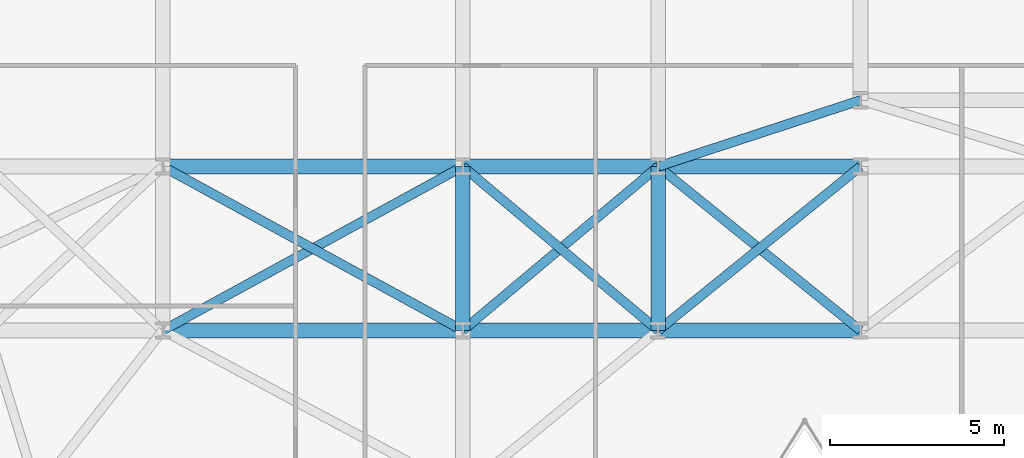
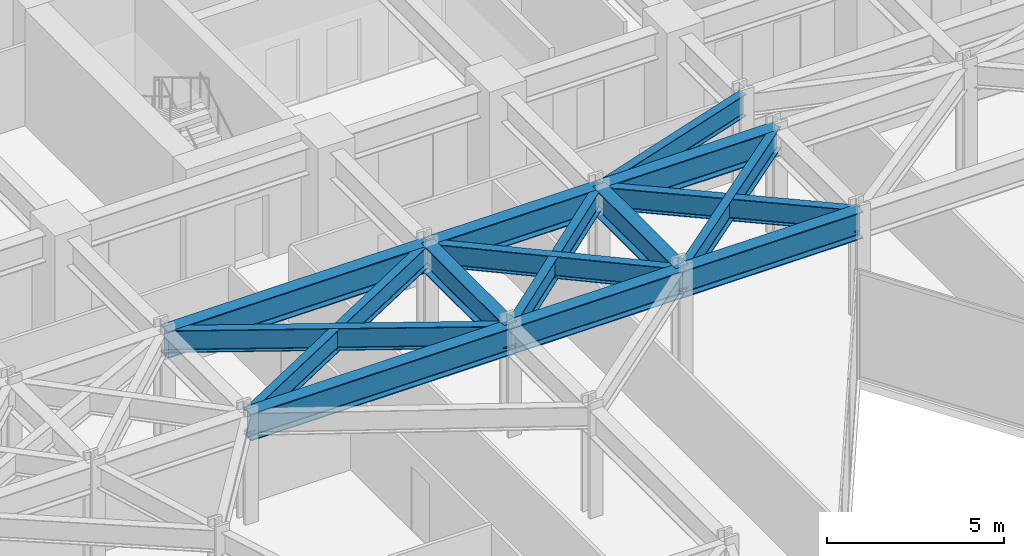
# One storey, part 11 of 24: 15 beams.
"""IFC4 building model written with IfcOpenShell, lengths in metres."""

from ifc_helpers import new_model, si_unit, direction, frame, origin, origin_2d, place, context, subcontext, project, spatial, i_section, extrude, material, material_profile, profile_set, type_object, element, save


model = new_model("IFC4")

# Units and contexts
model_context = context("Model", 3, precision=1e-05, world=origin(), true_north=direction((0.0, 1.0)))
body_context = subcontext(model_context, "Body", "Model", "MODEL_VIEW")
ifc_project = project(units=[si_unit("LENGTHUNIT", "METRE"), si_unit("AREAUNIT", "SQUARE_METRE"), si_unit("VOLUMEUNIT", "CUBIC_METRE"), si_unit("PLANEANGLEUNIT", "RADIAN"), si_unit("MASSUNIT", "GRAM", prefix="KILO")], contexts=[model_context])

# Site, building, storey
site_placement = place(None, origin())
site = spatial("IfcSite", under=ifc_project, at=site_placement, CompositionType="ELEMENT")
building_placement = place(site_placement, origin())
building = spatial("IfcBuilding", under=site, at=building_placement, Name="Kravanh Interchange Tower", CompositionType="ELEMENT")
storey_placement = place(building_placement, frame((0.0, 0.0, 77.5)))
storey = spatial("IfcBuildingStorey", under=building, at=storey_placement, Name="L18", CompositionType="ELEMENT", Elevation=77.5)

# Beams
ifc_material_1 = material(Name="Structural Steel S355", Category="steel")
ifc_material_profile_1 = material_profile(ifc_material_1, i_section(OverallWidth=0.41796875, OverallDepth=0.927001953125, WebThickness=0.019287109375, FlangeThickness=0.031982421875, FilletRadius=0.028076171875, at=origin_2d()), Name="W36X231")
ifc_profile_set_1 = profile_set([ifc_material_profile_1], Name="Structural Steel S355")
beam_type_1 = type_object("IfcBeamType", Name="Floor Beam W36X231 Structural Steel S355", PredefinedType="BEAM", material=ifc_profile_set_1)
beam_1_placement = place(storey_placement, frame((18.60009765625, 26.800048828125, 3.276611328125), z_axis=(1.0, 0.0, 0.0), x_axis=(0.0, 1.0, 0.0)))
element("IfcBeam", 1, at=beam_1_placement, inside=storey, type_object=beam_type_1, Name="L18 Primary Floor Girder 76", PredefinedType="BEAM", context=body_context, shape_type="SweptSolid", body=[
    extrude(i_section(OverallWidth=0.41796875, OverallDepth=0.927001953125, WebThickness=0.019287109375, FlangeThickness=0.031982421875, FilletRadius=0.028076171875, at=origin_2d()), origin(), (0.0, 0.0, 1.0), 8.599853515625),
])
beam_2_placement = place(storey_placement, frame((27.199951171875, 26.800048828125, 3.276611328125), z_axis=(0.0, 1.0, 0.0), x_axis=(-1.0, 0.0, 0.0)))
element("IfcBeam", 2, at=beam_2_placement, inside=storey, type_object=beam_type_1, Name="L18 Primary Floor Girder 78", PredefinedType="BEAM", context=body_context, shape_type="SweptSolid", body=[
    extrude(i_section(OverallWidth=0.41796875, OverallDepth=0.927001953125, WebThickness=0.019287109375, FlangeThickness=0.031982421875, FilletRadius=0.028076171875, at=origin_2d()), origin(), (0.0, 0.0, 1.0), 4.699951171875),
])
beam_3_placement = place(storey_placement, frame((27.199951171875, 26.800048828125, 3.276611328125), z_axis=(1.0, 0.0, 0.0), x_axis=(0.0, 1.0, 0.0)))
element("IfcBeam", 3, at=beam_3_placement, inside=storey, type_object=beam_type_1, Name="L18 Primary Floor Girder 79", PredefinedType="BEAM", context=body_context, shape_type="SweptSolid", body=[
    extrude(i_section(OverallWidth=0.41796875, OverallDepth=0.927001953125, WebThickness=0.019287109375, FlangeThickness=0.031982421875, FilletRadius=0.028076171875, at=origin_2d()), origin(), (0.0, 0.0, 1.0), 5.60009765625),
])
beam_4_placement = place(storey_placement, frame((32.800048828125, 26.800048828125, 3.276611328125), z_axis=(0.0, 1.0, 0.0), x_axis=(-1.0, 0.0, 0.0)))
element("IfcBeam", 4, at=beam_4_placement, inside=storey, type_object=beam_type_1, Name="L18 Primary Floor Girder 82", PredefinedType="BEAM", context=body_context, shape_type="SweptSolid", body=[
    extrude(i_section(OverallWidth=0.41796875, OverallDepth=0.927001953125, WebThickness=0.019287109375, FlangeThickness=0.031982421875, FilletRadius=0.028076171875, at=origin_2d()), origin(), (0.0, 0.0, 1.0), 4.699951171875),
])
beam_5_placement = place(storey_placement, frame((32.800048828125, 26.800048828125, 3.276611328125), z_axis=(1.0, 0.0, 0.0), x_axis=(0.0, 1.0, 0.0)))
element("IfcBeam", 5, at=beam_5_placement, inside=storey, type_object=beam_type_1, Name="L18 Primary Floor Girder 83", PredefinedType="BEAM", context=body_context, shape_type="SweptSolid", body=[
    extrude(i_section(OverallWidth=0.41796875, OverallDepth=0.927001953125, WebThickness=0.019287109375, FlangeThickness=0.031982421875, FilletRadius=0.028076171875, at=origin_2d()), origin(), (0.0, 0.0, 1.0), 5.800048828125),
])
beam_6_placement = place(storey_placement, frame((18.60009765625, 31.5, 3.276611328125), z_axis=(1.0, 0.0, 0.0), x_axis=(0.0, 1.0, 0.0)))
element("IfcBeam", 6, at=beam_6_placement, inside=storey, type_object=beam_type_1, Name="L18 Primary Floor Girder 106", PredefinedType="BEAM", context=body_context, shape_type="SweptSolid", body=[
    extrude(i_section(OverallWidth=0.41796875, OverallDepth=0.927001953125, WebThickness=0.019287109375, FlangeThickness=0.031982421875, FilletRadius=0.028076171875, at=origin_2d()), origin(), (0.0, 0.0, 1.0), 8.599853515625),
])
beam_7_placement = place(storey_placement, frame((27.199951171875, 31.5, 3.276611328125), z_axis=(1.0, 0.0, 0.0), x_axis=(0.0, 1.0, 0.0)))
element("IfcBeam", 7, at=beam_7_placement, inside=storey, type_object=beam_type_1, Name="L18 Primary Floor Girder 107", PredefinedType="BEAM", context=body_context, shape_type="SweptSolid", body=[
    extrude(i_section(OverallWidth=0.41796875, OverallDepth=0.927001953125, WebThickness=0.019287109375, FlangeThickness=0.031982421875, FilletRadius=0.028076171875, at=origin_2d()), origin(), (0.0, 0.0, 1.0), 5.60009765625),
])
beam_8_placement = place(storey_placement, frame((32.800048828125, 31.5, 3.276611328125), z_axis=(1.0, 0.0, 0.0), x_axis=(0.0, 1.0, 0.0)))
element("IfcBeam", 8, at=beam_8_placement, inside=storey, type_object=beam_type_1, Name="L18 Primary Floor Girder 109", PredefinedType="BEAM", context=body_context, shape_type="SweptSolid", body=[
    extrude(i_section(OverallWidth=0.41796875, OverallDepth=0.927001953125, WebThickness=0.019287109375, FlangeThickness=0.031982421875, FilletRadius=0.028076171875, at=origin_2d()), origin(), (0.0, 0.0, 1.0), 5.800048828125),
])
ifc_material_2 = material(Name="Structural Steel S355", Category="steel")
ifc_material_profile_2 = material_profile(ifc_material_2, i_section(OverallWidth=0.26708984375, OverallDepth=0.761962890625, WebThickness=0.014404296875, FlangeThickness=0.021484375, FilletRadius=0.02490234375, at=origin_2d()), Name="W30X116")
ifc_profile_set_2 = profile_set([ifc_material_profile_2], Name="Structural Steel S355")
beam_type_2 = type_object("IfcBeamType", Name="Floor Spandrel W30X116 Structural Steel S355", PredefinedType="SPANDREL", material=ifc_profile_set_2)
beam_9_placement = place(storey_placement, frame((18.60009765625, 26.800048828125, 3.35888671875), z_axis=(0.877503996342, 0.479569323877, 0.0), x_axis=(-0.479569323877, 0.877503996342, 0.0)))
element("IfcBeam", 9, at=beam_9_placement, inside=storey, type_object=beam_type_2, Name="L18 Perimeter Spandrel 77", PredefinedType="SPANDREL", context=body_context, shape_type="SweptSolid", body=[
    extrude(i_section(OverallWidth=0.26708984375, OverallDepth=0.761962890625, WebThickness=0.014404296875, FlangeThickness=0.021484375, FilletRadius=0.02490234375, at=origin_2d()), origin(), (0.0, 0.0, 1.0), 9.80029296875),
])
beam_10_placement = place(storey_placement, frame((27.199951171875, 26.800048828125, 3.35888671875), z_axis=(0.765983062929, 0.642860752657, 0.0), x_axis=(-0.642860752657, 0.765983062929, 0.0)))
element("IfcBeam", 10, at=beam_10_placement, inside=storey, type_object=beam_type_2, Name="L18 Perimeter Spandrel 80", PredefinedType="SPANDREL", context=body_context, shape_type="SweptSolid", body=[
    extrude(i_section(OverallWidth=0.26708984375, OverallDepth=0.761962890625, WebThickness=0.014404296875, FlangeThickness=0.021484375, FilletRadius=0.02490234375, at=origin_2d()), origin(), (0.0, 0.0, 1.0), 7.31103515625),
])
beam_11_placement = place(storey_placement, frame((27.199951171875, 26.800048828125, 3.35888671875), z_axis=(-0.877503996342, 0.479569323877, 0.0), x_axis=(-0.479569323877, -0.877503996342, 0.0)))
element("IfcBeam", 11, at=beam_11_placement, inside=storey, type_object=beam_type_2, Name="L18 Perimeter Spandrel 81", PredefinedType="SPANDREL", context=body_context, shape_type="SweptSolid", body=[
    extrude(i_section(OverallWidth=0.26708984375, OverallDepth=0.761962890625, WebThickness=0.014404296875, FlangeThickness=0.021484375, FilletRadius=0.02490234375, at=origin_2d()), origin(), (0.0, 0.0, 1.0), 9.80029296875),
])
beam_12_placement = place(storey_placement, frame((32.800048828125, 26.800048828125, 3.35888671875), z_axis=(-0.765983062929, 0.642860752657, 0.0), x_axis=(-0.642860752657, -0.765983062929, 0.0)))
element("IfcBeam", 12, at=beam_12_placement, inside=storey, type_object=beam_type_2, Name="L18 Perimeter Spandrel 84", PredefinedType="SPANDREL", context=body_context, shape_type="SweptSolid", body=[
    extrude(i_section(OverallWidth=0.26708984375, OverallDepth=0.761962890625, WebThickness=0.014404296875, FlangeThickness=0.021484375, FilletRadius=0.02490234375, at=origin_2d()), origin(), (0.0, 0.0, 1.0), 7.31103515625),
])
for number, where, z_axis, x_axis, name in (
    (13, (32.800048828125, 26.800048828125, 3.35888671875), (0.776938619557, 0.629576350764, 0.0), (-0.629576350764, 0.776938619557, 0.0), "L18 Perimeter Spandrel 85"),
    (14, (38.60009765625, 26.800048828125, 3.35888671875), (-0.776938619557, 0.629576350764, 0.0), (-0.629576350764, -0.776938619557, 0.0), "L18 Perimeter Spandrel 87"),
):
    element("IfcBeam", number, at=place(storey_placement, frame(where, z_axis=z_axis, x_axis=x_axis)), inside=storey, type_object=beam_type_2, Name=name, PredefinedType="SPANDREL", context=body_context, shape_type="SweptSolid", body=[
        extrude(i_section(OverallWidth=0.26708984375, OverallDepth=0.761962890625, WebThickness=0.014404296875, FlangeThickness=0.021484375, FilletRadius=0.02490234375, at=origin_2d()), origin(), (0.0, 0.0, 1.0), 7.46533203125),
    ])
beam_13_placement = place(storey_placement, frame((32.800048828125, 31.5, 3.35888671875), z_axis=(0.950314536578, 0.31129131303, 0.0), x_axis=(-0.31129131303, 0.950314536578, 0.0)))
element("IfcBeam", 15, at=beam_13_placement, inside=storey, type_object=beam_type_2, Name="L18 Perimeter Spandrel 110", PredefinedType="SPANDREL", context=body_context, shape_type="SweptSolid", body=[
    extrude(i_section(OverallWidth=0.26708984375, OverallDepth=0.761962890625, WebThickness=0.014404296875, FlangeThickness=0.021484375, FilletRadius=0.02490234375, at=origin_2d()), origin(), (0.0, 0.0, 1.0), 6.103271484375),
])

save(model, "model.ifc")
